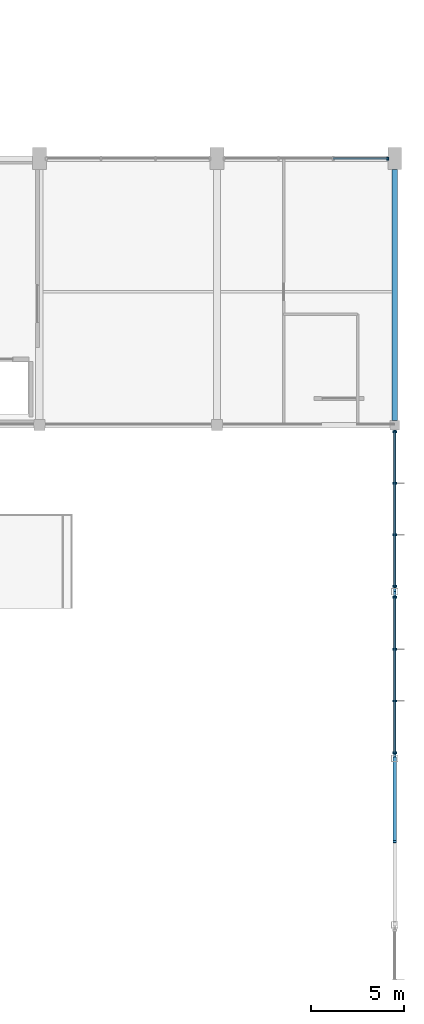
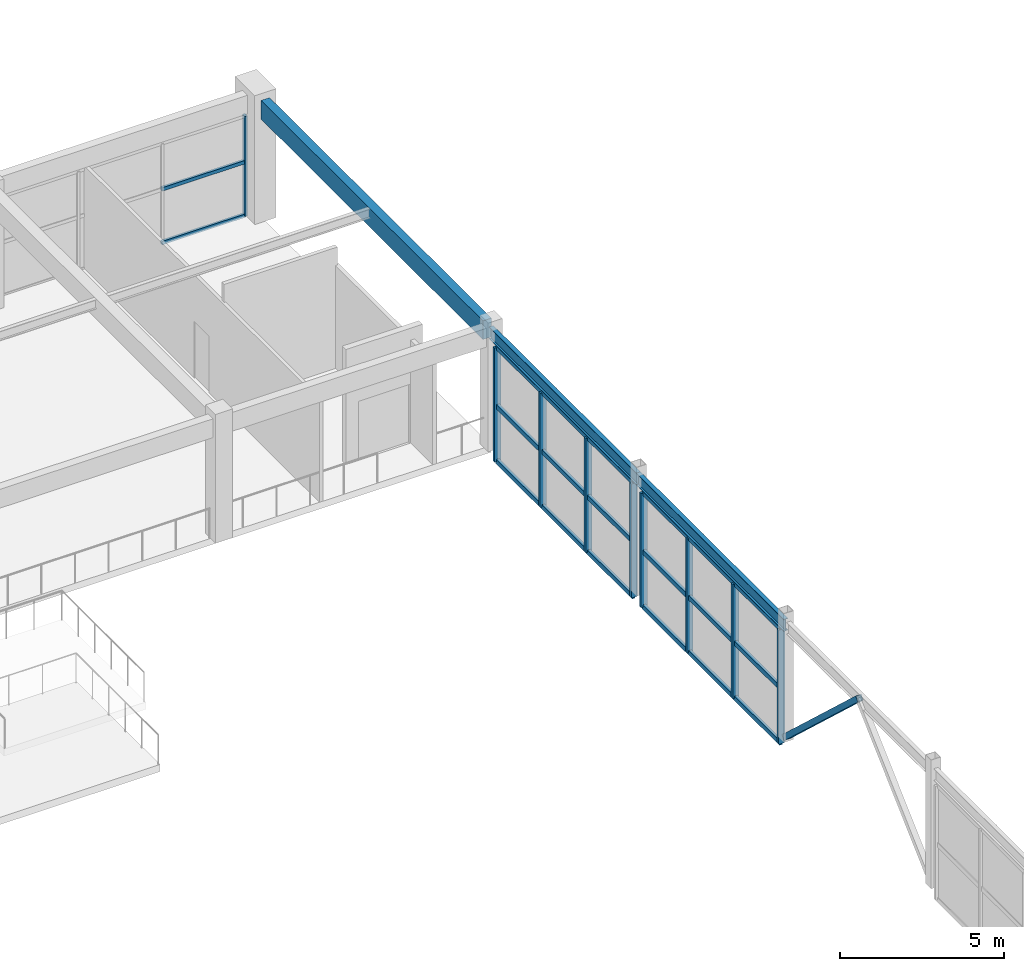
# One storey, part 37 of 74: 26 members, 3 beams, 3 elements without a shape of their own.
"""IFC4 building model written with IfcOpenShell, lengths in metres."""

from ifc_helpers import new_model, si_unit, direction, frame, origin, origin_2d, place, context, subcontext, project, spatial, rectangle, hollow_rectangle, i_section, extrude, material, material_profile, profile_set, type_object, element, aggregate, save


model = new_model("IFC4")

# Units and contexts
model_context = context("Model", 3, precision=1e-05, world=origin(), true_north=direction((0.0, 1.0)))
body_context = subcontext(model_context, "Body", "Model", "MODEL_VIEW")
ifc_project = project(units=[si_unit("LENGTHUNIT", "METRE"), si_unit("AREAUNIT", "SQUARE_METRE"), si_unit("VOLUMEUNIT", "CUBIC_METRE"), si_unit("PLANEANGLEUNIT", "RADIAN"), si_unit("MASSUNIT", "GRAM", prefix="KILO")], contexts=[model_context])

# Site, building, storey
site_placement = place(None, origin())
site = spatial("IfcSite", under=ifc_project, at=site_placement, CompositionType="ELEMENT")
building_placement = place(site_placement, origin())
building = spatial("IfcBuilding", under=site, at=building_placement, Name="Suirenkawa Promenade Aquatics Centre", CompositionType="ELEMENT")
storey_placement = place(building_placement, frame((0.0, 0.0, 4.800048828125)))
storey = spatial("IfcBuildingStorey", under=building, at=storey_placement, Name="L01", CompositionType="ELEMENT", Elevation=4.800048828125)

# Beams
ifc_material_1 = material(Name="Concrete M40", Category="concrete")
ifc_material_profile_1 = material_profile(ifc_material_1, rectangle(XDim=0.300048828125, YDim=0.699951171875, at=origin_2d()), Name="RC SPANDREL 300x700", Category="concrete")
ifc_profile_set_1 = profile_set([ifc_material_profile_1], Name="Concrete M40")
beam_type_1 = type_object("IfcBeamType", Name="BT-SPANDREL-300x700", PredefinedType="SPANDREL", material=ifc_profile_set_1)
beam_placement = place(storey_placement, frame((194.39990234375, 86.64404296875, 4.199951171875), z_axis=(0.0, 1.0, 0.0), x_axis=(-1.0, 0.0, 0.0)))
element("IfcBeam", 1, at=beam_placement, inside=storey, type_object=beam_type_1, Name="Floor beam SP-01 BM-1418", PredefinedType="SPANDREL", context=body_context, shape_type="SweptSolid", body=[
    extrude(rectangle(XDim=0.300048828125, YDim=0.699951171875, at=origin_2d()), origin(), (0.0, 0.0, 1.0), 13.56201171875),
])
ifc_material_2 = material(Name="Steel IS 2062 E350 (Grade 350)", Category="steel")
ifc_material_profile_2 = material_profile(ifc_material_2, i_section(OverallWidth=0.14990234375, OverallDepth=0.449951171875, WebThickness=0.009033203125, FlangeThickness=0.01708984375, at=origin_2d()), Name="ISMB 450", Category="steel")
ifc_profile_set_2 = profile_set([ifc_material_profile_2], Name="Steel IS 2062 E350 (Grade 350)")
beam_type_2 = type_object("IfcBeamType", Name="BT-STL-ISMB450", PredefinedType="BEAM", material=ifc_profile_set_2)
for number, where, z_axis, x_axis, name in (
    (2, (194.39990234375, 68.39990234375, 4.224853515625), (0.0, 1.0, 0.0), (-1.0, 0.0, 0.0), "Diving hall wind girt BM-08 BM-1363"),
    (3, (194.39990234375, 77.39990234375, 4.224853515625), (0.0, 1.0, 0.0), (-1.0, 0.0, 0.0), "Diving hall wind girt BM-08 BM-1364"),
):
    element("IfcBeam", number, at=place(storey_placement, frame(where, z_axis=z_axis, x_axis=x_axis)), inside=storey, type_object=beam_type_2, Name=name, PredefinedType="BEAM", context=body_context, shape_type="SweptSolid", body=[
        extrude(i_section(OverallWidth=0.14990234375, OverallDepth=0.449951171875, WebThickness=0.009033203125, FlangeThickness=0.01708984375, at=origin_2d()), origin(), (0.0, 0.0, 1.0), 9.0),
    ])

# Curtain wall, member
ifc_material_3 = material(Name="Anodised aluminium 6063-T6", Category="aluminium")
curtain_wall_type_1 = type_object("IfcCurtainWallType", Name="CWAT-V2GL01-18", PredefinedType="NOTDEFINED", material=ifc_material_3)
curtain_wall_1_placement = place(storey_placement, origin())
curtain_wall_1 = element("IfcCurtainWall", 4, at=curtain_wall_1_placement, inside=storey, type_object=curtain_wall_type_1, Name="Curtain wall CWA-18 CW-046", PredefinedType="NOTDEFINED")
ifc_material_profile_3 = material_profile(ifc_material_3, rectangle(XDim=0.090087890625, YDim=0.159912109375, at=origin_2d()), Name="ALU MULL 90x160", Category="aluminium")
ifc_profile_set_3 = profile_set([ifc_material_profile_3], Name="Anodised aluminium 6063-T6")
member_type_1 = type_object("IfcMemberType", Name="CWM-160x90", PredefinedType="MULLION", material=ifc_profile_set_3)
member_1_placement = place(storey_placement, frame((194.02587890625, 100.800048828125, 0.0), z_axis=(0.0, 0.0, 1.0), x_axis=(1.0, 0.0, 0.0)))
member_1 = element("IfcMember", 5, at=member_1_placement, type_object=member_type_1, Name="Mullion ML-03 CWM-00942", PredefinedType="MULLION", context=body_context, shape_type="SweptSolid", body=[
    extrude(rectangle(XDim=0.090087890625, YDim=0.159912109375, at=origin_2d()), origin(), (0.0, 0.0, 1.0), 3.719970703125),
])

# Curtain wall, members
curtain_wall_type_2 = type_object("IfcCurtainWallType", Name="CWAT-V2E-22", PredefinedType="NOTDEFINED", material=ifc_material_3)
curtain_wall_2_placement = place(storey_placement, origin())
curtain_wall_2 = element("IfcCurtainWall", 6, at=curtain_wall_2_placement, inside=storey, type_object=curtain_wall_type_2, Name="Curtain wall CWA-22 CW-050", PredefinedType="NOTDEFINED")
ifc_material_profile_4 = material_profile(ifc_material_3, rectangle(XDim=0.10009765625, YDim=0.219970703125, at=origin_2d()), Name="ALU MULL 100x220", Category="aluminium")
ifc_profile_set_4 = profile_set([ifc_material_profile_4], Name="Anodised aluminium 6063-T6")
member_type_2 = type_object("IfcMemberType", Name="CWM-220x100", PredefinedType="MULLION", material=ifc_profile_set_4)
member_2_placement = place(storey_placement, frame((194.39990234375, 77.10107421875, -0.35009765625), z_axis=(0.0, 0.0, 1.0), x_axis=(0.0, -1.0, 0.0)))
member_2 = element("IfcMember", 7, at=member_2_placement, type_object=member_type_2, Name="Mullion ML-01 CWM-01001", PredefinedType="MULLION", context=body_context, shape_type="SweptSolid", body=[
    extrude(rectangle(XDim=0.10009765625, YDim=0.219970703125, at=origin_2d()), origin(), (0.0, 0.0, 1.0), 4.255126953125),
])
member_3_placement = place(storey_placement, frame((194.39990234375, 74.30029296875, -0.35009765625), z_axis=(0.0, 0.0, 1.0), x_axis=(0.0, -1.0, 0.0)))
member_3 = element("IfcMember", 8, at=member_3_placement, type_object=member_type_2, Name="Mullion ML-01 CWM-01002", PredefinedType="MULLION", context=body_context, shape_type="SweptSolid", body=[
    extrude(rectangle(XDim=0.10009765625, YDim=0.219970703125, at=origin_2d()), origin(), (0.0, 0.0, 1.0), 4.255126953125),
])
member_4_placement = place(storey_placement, frame((194.39990234375, 71.499755859375, -0.35009765625), z_axis=(0.0, 0.0, 1.0), x_axis=(0.0, -1.0, 0.0)))
member_4 = element("IfcMember", 9, at=member_4_placement, type_object=member_type_2, Name="Mullion ML-01 CWM-01003", PredefinedType="MULLION", context=body_context, shape_type="SweptSolid", body=[
    extrude(rectangle(XDim=0.10009765625, YDim=0.219970703125, at=origin_2d()), origin(), (0.0, 0.0, 1.0), 4.255126953125),
])
member_5_placement = place(storey_placement, frame((194.39990234375, 68.698974609375, -0.35009765625), z_axis=(0.0, 0.0, 1.0), x_axis=(0.0, -1.0, 0.0)))
member_5 = element("IfcMember", 10, at=member_5_placement, type_object=member_type_2, Name="Mullion ML-01 CWM-01004", PredefinedType="MULLION", context=body_context, shape_type="SweptSolid", body=[
    extrude(rectangle(XDim=0.10009765625, YDim=0.219970703125, at=origin_2d()), origin(), (0.0, 0.0, 1.0), 4.255126953125),
])

curtain_wall_3_placement = place(storey_placement, origin())
curtain_wall_3 = element("IfcCurtainWall", 11, at=curtain_wall_3_placement, inside=storey, type_object=curtain_wall_type_2, Name="Curtain wall CWA-22 CW-052", PredefinedType="NOTDEFINED")
member_6_placement = place(storey_placement, frame((194.39990234375, 86.051025390625, -0.35009765625), z_axis=(0.0, 0.0, 1.0), x_axis=(0.0, -1.0, 0.0)))
member_6 = element("IfcMember", 12, at=member_6_placement, type_object=member_type_2, Name="Mullion ML-01 CWM-01029", PredefinedType="MULLION", context=body_context, shape_type="SweptSolid", body=[
    extrude(rectangle(XDim=0.10009765625, YDim=0.219970703125, at=origin_2d()), origin(), (0.0, 0.0, 1.0), 4.255126953125),
])
member_7_placement = place(storey_placement, frame((194.39990234375, 83.26708984375, -0.35009765625), z_axis=(0.0, 0.0, 1.0), x_axis=(0.0, -1.0, 0.0)))
member_7 = element("IfcMember", 13, at=member_7_placement, type_object=member_type_2, Name="Mullion ML-01 CWM-01030", PredefinedType="MULLION", context=body_context, shape_type="SweptSolid", body=[
    extrude(rectangle(XDim=0.10009765625, YDim=0.219970703125, at=origin_2d()), origin(), (0.0, 0.0, 1.0), 4.255126953125),
])
member_8_placement = place(storey_placement, frame((194.39990234375, 80.48291015625, -0.35009765625), z_axis=(0.0, 0.0, 1.0), x_axis=(0.0, -1.0, 0.0)))
member_8 = element("IfcMember", 14, at=member_8_placement, type_object=member_type_2, Name="Mullion ML-01 CWM-01031", PredefinedType="MULLION", context=body_context, shape_type="SweptSolid", body=[
    extrude(rectangle(XDim=0.10009765625, YDim=0.219970703125, at=origin_2d()), origin(), (0.0, 0.0, 1.0), 4.255126953125),
])
member_9_placement = place(storey_placement, frame((194.39990234375, 77.698974609375, -0.35009765625), z_axis=(0.0, 0.0, 1.0), x_axis=(0.0, -1.0, 0.0)))
member_9 = element("IfcMember", 15, at=member_9_placement, type_object=member_type_2, Name="Mullion ML-01 CWM-01032", PredefinedType="MULLION", context=body_context, shape_type="SweptSolid", body=[
    extrude(rectangle(XDim=0.10009765625, YDim=0.219970703125, at=origin_2d()), origin(), (0.0, 0.0, 1.0), 4.255126953125),
])

# Member
ifc_material_profile_5 = material_profile(ifc_material_3, rectangle(XDim=0.090087890625, YDim=0.1298828125, at=origin_2d()), Name="ALU TRAN 90x130", Category="aluminium")
ifc_profile_set_5 = profile_set([ifc_material_profile_5], Name="Anodised aluminium 6063-T6")
member_type_3 = type_object("IfcMemberType", Name="CWT-130x90", PredefinedType="USERDEFINED", material=ifc_profile_set_5)
member_10_placement = place(storey_placement, frame((191.075439453125, 100.800048828125, 0.0), z_axis=(1.0, 0.0, 0.0), x_axis=(0.0, 1.0, 0.0)))
member_10 = element("IfcMember", 16, at=member_10_placement, type_object=member_type_3, Name="Transom TR-03 CWT-00945", ObjectType="TRANSOM", PredefinedType="USERDEFINED", context=body_context, shape_type="SweptSolid", body=[
    extrude(rectangle(XDim=0.090087890625, YDim=0.1298828125, at=origin_2d()), origin(), (0.0, 0.0, 1.0), 2.950439453125),
])

member_11_placement = place(storey_placement, frame((191.075439453125, 100.800048828125, 2.0), z_axis=(1.0, 0.0, 0.0), x_axis=(0.0, 1.0, 0.0)))
member_11 = element("IfcMember", 17, at=member_11_placement, type_object=member_type_3, Name="Transom TR-03 CWT-00948", ObjectType="TRANSOM", PredefinedType="USERDEFINED", context=body_context, shape_type="SweptSolid", body=[
    extrude(rectangle(XDim=0.090087890625, YDim=0.1298828125, at=origin_2d()), origin(), (0.0, 0.0, 1.0), 2.950439453125),
])

aggregate(curtain_wall_1, [member_1, member_10, member_11])

ifc_material_profile_6 = material_profile(ifc_material_3, rectangle(XDim=0.10009765625, YDim=0.169921875, at=origin_2d()), Name="ALU TRAN 100x170", Category="aluminium")
ifc_profile_set_6 = profile_set([ifc_material_profile_6], Name="Anodised aluminium 6063-T6")
member_type_4 = type_object("IfcMemberType", Name="CWT-170x100", PredefinedType="USERDEFINED", material=ifc_profile_set_6)
member_12_placement = place(storey_placement, frame((194.39990234375, 77.10107421875, -0.35009765625), z_axis=(0.0, -1.0, 0.0), x_axis=(1.0, 0.0, 0.0)))
member_12 = element("IfcMember", 18, at=member_12_placement, type_object=member_type_4, Name="Transom TR-01 CWT-01005", ObjectType="TRANSOM", PredefinedType="USERDEFINED", context=body_context, shape_type="SweptSolid", body=[
    extrude(rectangle(XDim=0.10009765625, YDim=0.169921875, at=origin_2d()), origin(), (0.0, 0.0, 1.0), 2.80078125),
])

member_13_placement = place(storey_placement, frame((194.39990234375, 74.30029296875, -0.35009765625), z_axis=(0.0, -1.0, 0.0), x_axis=(1.0, 0.0, 0.0)))
member_13 = element("IfcMember", 19, at=member_13_placement, type_object=member_type_4, Name="Transom TR-01 CWT-01006", ObjectType="TRANSOM", PredefinedType="USERDEFINED", context=body_context, shape_type="SweptSolid", body=[
    extrude(rectangle(XDim=0.10009765625, YDim=0.169921875, at=origin_2d()), origin(), (0.0, 0.0, 1.0), 2.800537109375),
])

member_14_placement = place(storey_placement, frame((194.39990234375, 71.499755859375, -0.35009765625), z_axis=(0.0, -1.0, 0.0), x_axis=(1.0, 0.0, 0.0)))
member_14 = element("IfcMember", 20, at=member_14_placement, type_object=member_type_4, Name="Transom TR-01 CWT-01007", ObjectType="TRANSOM", PredefinedType="USERDEFINED", context=body_context, shape_type="SweptSolid", body=[
    extrude(rectangle(XDim=0.10009765625, YDim=0.169921875, at=origin_2d()), origin(), (0.0, 0.0, 1.0), 2.80078125),
])

member_15_placement = place(storey_placement, frame((194.39990234375, 77.10107421875, 1.699951171875), z_axis=(0.0, -1.0, 0.0), x_axis=(1.0, 0.0, 0.0)))
member_15 = element("IfcMember", 21, at=member_15_placement, type_object=member_type_4, Name="Transom TR-01 CWT-01008", ObjectType="TRANSOM", PredefinedType="USERDEFINED", context=body_context, shape_type="SweptSolid", body=[
    extrude(rectangle(XDim=0.10009765625, YDim=0.169921875, at=origin_2d()), origin(), (0.0, 0.0, 1.0), 2.80078125),
])

member_16_placement = place(storey_placement, frame((194.39990234375, 74.30029296875, 1.699951171875), z_axis=(0.0, -1.0, 0.0), x_axis=(1.0, 0.0, 0.0)))
member_16 = element("IfcMember", 22, at=member_16_placement, type_object=member_type_4, Name="Transom TR-01 CWT-01009", ObjectType="TRANSOM", PredefinedType="USERDEFINED", context=body_context, shape_type="SweptSolid", body=[
    extrude(rectangle(XDim=0.10009765625, YDim=0.169921875, at=origin_2d()), origin(), (0.0, 0.0, 1.0), 2.800537109375),
])

member_17_placement = place(storey_placement, frame((194.39990234375, 71.499755859375, 1.699951171875), z_axis=(0.0, -1.0, 0.0), x_axis=(1.0, 0.0, 0.0)))
member_17 = element("IfcMember", 23, at=member_17_placement, type_object=member_type_4, Name="Transom TR-01 CWT-01010", ObjectType="TRANSOM", PredefinedType="USERDEFINED", context=body_context, shape_type="SweptSolid", body=[
    extrude(rectangle(XDim=0.10009765625, YDim=0.169921875, at=origin_2d()), origin(), (0.0, 0.0, 1.0), 2.80078125),
])

member_18_placement = place(storey_placement, frame((194.39990234375, 77.10107421875, 3.905029296875), z_axis=(0.0, -1.0, 0.0), x_axis=(1.0, 0.0, 0.0)))
member_18 = element("IfcMember", 24, at=member_18_placement, type_object=member_type_4, Name="Roofline transom TR-01 CWT-01011", ObjectType="TRANSOM", PredefinedType="USERDEFINED", context=body_context, shape_type="SweptSolid", body=[
    extrude(rectangle(XDim=0.10009765625, YDim=0.169921875, at=origin_2d()), origin(), (0.0, 0.0, 1.0), 8.402099609375),
])

aggregate(curtain_wall_2, [member_2, member_3, member_4, member_5, member_12, member_13, member_14, member_15, member_16, member_17, member_18])

member_19_placement = place(storey_placement, frame((194.39990234375, 86.051025390625, -0.35009765625), z_axis=(0.0, -1.0, 0.0), x_axis=(1.0, 0.0, 0.0)))
member_19 = element("IfcMember", 25, at=member_19_placement, type_object=member_type_4, Name="Transom TR-01 CWT-01033", ObjectType="TRANSOM", PredefinedType="USERDEFINED", context=body_context, shape_type="SweptSolid", body=[
    extrude(rectangle(XDim=0.10009765625, YDim=0.169921875, at=origin_2d()), origin(), (0.0, 0.0, 1.0), 2.783935546875),
])

member_20_placement = place(storey_placement, frame((194.39990234375, 83.26708984375, -0.35009765625), z_axis=(0.0, -1.0, 0.0), x_axis=(1.0, 0.0, 0.0)))
member_20 = element("IfcMember", 26, at=member_20_placement, type_object=member_type_4, Name="Transom TR-01 CWT-01034", ObjectType="TRANSOM", PredefinedType="USERDEFINED", context=body_context, shape_type="SweptSolid", body=[
    extrude(rectangle(XDim=0.10009765625, YDim=0.169921875, at=origin_2d()), origin(), (0.0, 0.0, 1.0), 2.7841796875),
])

member_21_placement = place(storey_placement, frame((194.39990234375, 80.48291015625, -0.35009765625), z_axis=(0.0, -1.0, 0.0), x_axis=(1.0, 0.0, 0.0)))
member_21 = element("IfcMember", 27, at=member_21_placement, type_object=member_type_4, Name="Transom TR-01 CWT-01035", ObjectType="TRANSOM", PredefinedType="USERDEFINED", context=body_context, shape_type="SweptSolid", body=[
    extrude(rectangle(XDim=0.10009765625, YDim=0.169921875, at=origin_2d()), origin(), (0.0, 0.0, 1.0), 2.783935546875),
])

member_22_placement = place(storey_placement, frame((194.39990234375, 86.051025390625, 1.699951171875), z_axis=(0.0, -1.0, 0.0), x_axis=(1.0, 0.0, 0.0)))
member_22 = element("IfcMember", 28, at=member_22_placement, type_object=member_type_4, Name="Transom TR-01 CWT-01036", ObjectType="TRANSOM", PredefinedType="USERDEFINED", context=body_context, shape_type="SweptSolid", body=[
    extrude(rectangle(XDim=0.10009765625, YDim=0.169921875, at=origin_2d()), origin(), (0.0, 0.0, 1.0), 2.783935546875),
])

member_23_placement = place(storey_placement, frame((194.39990234375, 83.26708984375, 1.699951171875), z_axis=(0.0, -1.0, 0.0), x_axis=(1.0, 0.0, 0.0)))
member_23 = element("IfcMember", 29, at=member_23_placement, type_object=member_type_4, Name="Transom TR-01 CWT-01037", ObjectType="TRANSOM", PredefinedType="USERDEFINED", context=body_context, shape_type="SweptSolid", body=[
    extrude(rectangle(XDim=0.10009765625, YDim=0.169921875, at=origin_2d()), origin(), (0.0, 0.0, 1.0), 2.7841796875),
])

member_24_placement = place(storey_placement, frame((194.39990234375, 80.48291015625, 1.699951171875), z_axis=(0.0, -1.0, 0.0), x_axis=(1.0, 0.0, 0.0)))
member_24 = element("IfcMember", 30, at=member_24_placement, type_object=member_type_4, Name="Transom TR-01 CWT-01038", ObjectType="TRANSOM", PredefinedType="USERDEFINED", context=body_context, shape_type="SweptSolid", body=[
    extrude(rectangle(XDim=0.10009765625, YDim=0.169921875, at=origin_2d()), origin(), (0.0, 0.0, 1.0), 2.783935546875),
])

member_25_placement = place(storey_placement, frame((194.39990234375, 86.051025390625, 3.905029296875), z_axis=(0.0, -1.0, 0.0), x_axis=(1.0, 0.0, 0.0)))
member_25 = element("IfcMember", 31, at=member_25_placement, type_object=member_type_4, Name="Roofline transom TR-01 CWT-01039", ObjectType="TRANSOM", PredefinedType="USERDEFINED", context=body_context, shape_type="SweptSolid", body=[
    extrude(rectangle(XDim=0.10009765625, YDim=0.169921875, at=origin_2d()), origin(), (0.0, 0.0, 1.0), 8.35205078125),
])

aggregate(curtain_wall_3, [member_6, member_7, member_8, member_9, member_19, member_20, member_21, member_22, member_23, member_24, member_25])

ifc_material_profile_7 = material_profile(ifc_material_2, hollow_rectangle(XDim=0.199951171875, YDim=0.199951171875, WallThickness=0.010009765625, at=origin_2d()), Name="SHS 200x200x10", Category="steel")
ifc_profile_set_7 = profile_set([ifc_material_profile_7], Name="Steel IS 2062 E350 (Grade 350)")
member_type_5 = type_object("IfcMemberType", Name="MT-BRACE-SHS200", PredefinedType="BRACE", material=ifc_profile_set_7)
member_26_placement = place(storey_placement, frame((194.39990234375, 68.39990234375, 0.050048828125), z_axis=(0.0, -0.733099398666, 0.680121512434), x_axis=(1.0, 0.0, 0.0)))
element("IfcMember", 32, at=member_26_placement, inside=storey, type_object=member_type_5, Name="ROOF TRUSS Vertical chevron brace BF-01 MB-2916", PredefinedType="BRACE", context=body_context, shape_type="SweptSolid", body=[
    extrude(hollow_rectangle(XDim=0.199951171875, YDim=0.199951171875, WallThickness=0.010009765625, at=origin_2d()), origin(), (0.0, 0.0, 1.0), 6.138427734375),
])

save(model, "model.ifc")
